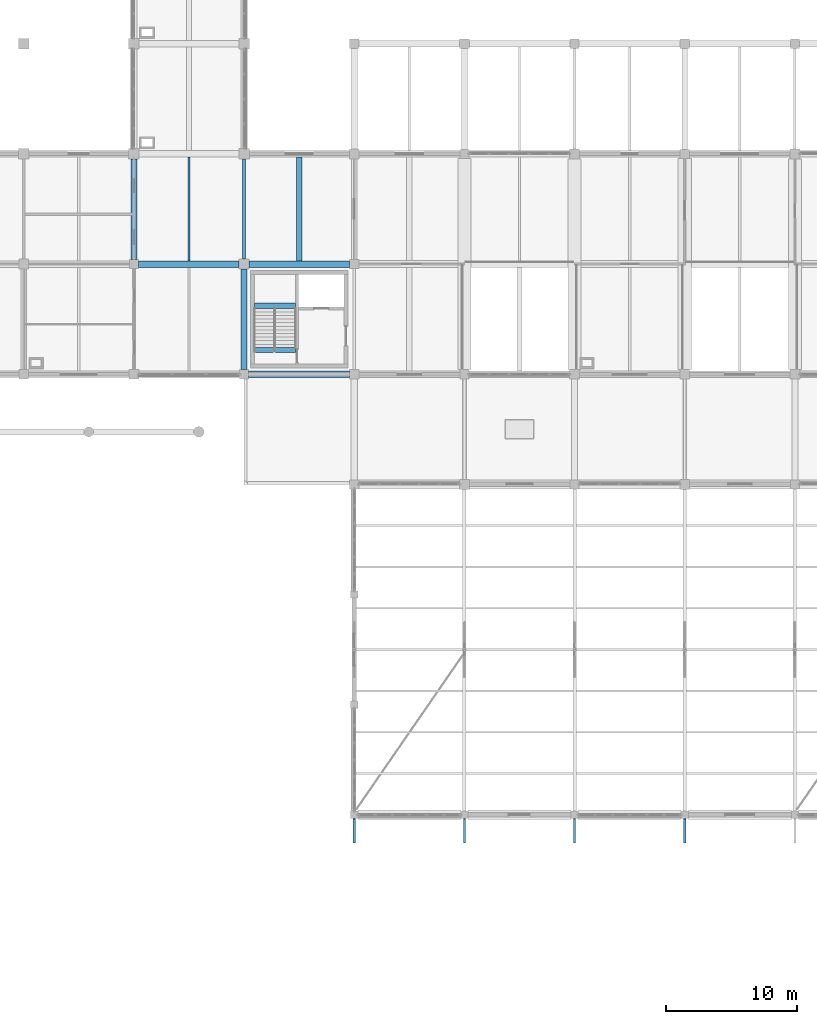
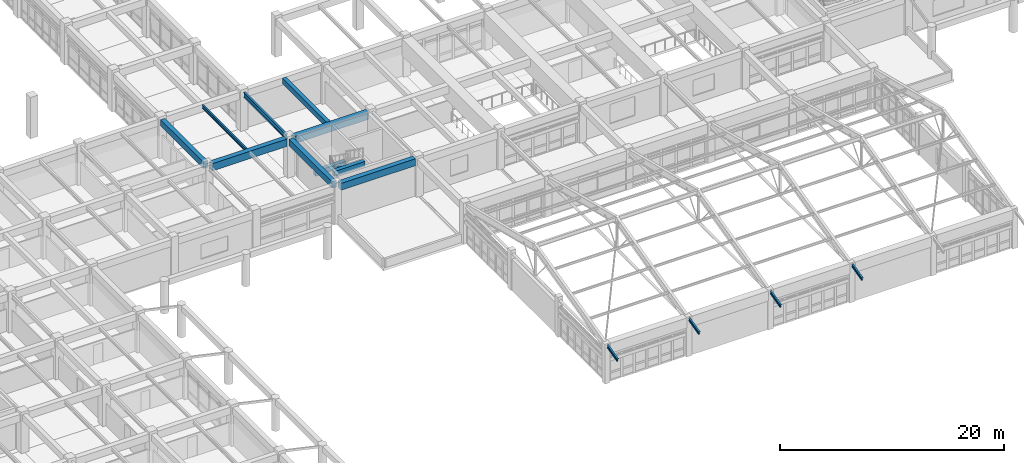
# One storey, part 9 of 99: 14 beams.
"""IFC4 building model written with IfcOpenShell, lengths in metres."""

from ifc_helpers import new_model, si_unit, direction, frame, origin, origin_2d, place, context, subcontext, project, spatial, rectangle, i_section, extrude, material, material_profile, profile_set, type_object, element, save


model = new_model("IFC4")

# Units and contexts
model_context = context("Model", 3, precision=1e-05, world=origin(), true_north=direction((0.0, 1.0)))
body_context = subcontext(model_context, "Body", "Model", "MODEL_VIEW")
ifc_project = project(units=[si_unit("LENGTHUNIT", "METRE"), si_unit("AREAUNIT", "SQUARE_METRE"), si_unit("VOLUMEUNIT", "CUBIC_METRE"), si_unit("PLANEANGLEUNIT", "RADIAN"), si_unit("MASSUNIT", "GRAM", prefix="KILO")], contexts=[model_context])

# Site, building, storey
site_placement = place(None, origin())
site = spatial("IfcSite", under=ifc_project, at=site_placement, CompositionType="ELEMENT")
building_placement = place(site_placement, origin())
building = spatial("IfcBuilding", under=site, at=building_placement, Name="Porcellanite Civic Hall", CompositionType="ELEMENT")
storey_placement = place(building_placement, frame((0.0, 0.0, 5.760009765625)))
storey = spatial("IfcBuildingStorey", under=building, at=storey_placement, Name="L01", CompositionType="ELEMENT", Elevation=5.760009765625)

# Beams
ifc_material_1 = material(Name="Steel Grade 350", Category="steel")
ifc_material_profile_1 = material_profile(ifc_material_1, i_section(OverallWidth=0.166015625, OverallDepth=0.306884765625, WebThickness=0.006591796875, FlangeThickness=0.01171875, FilletRadius=0.011474609375, at=origin_2d()), Name="310UB46.2")
ifc_profile_set_1 = profile_set([ifc_material_profile_1], Name="Steel Grade 350")
beam_type_1 = type_object("IfcBeamType", Name="BM-EV1", PredefinedType="BEAM", material=ifc_profile_set_1)
for number, where, z_axis, x_axis, name in (
    (1, (67.199951171875, 16.525390625, 4.0859375), (0.0, -0.970302594384, -0.241894347456), (1.0, 0.0, 0.0), "Public Hall storm eave beam 8"),
    (2, (75.60009765625, 16.525390625, 4.0859375), (0.0, -0.970302594384, -0.241894347456), (1.0, 0.0, 0.0), "Public Hall storm eave beam 9"),
    (3, (84.0, 16.525390625, 4.0859375), (0.0, -0.970302594384, -0.241894347456), (1.0, 0.0, 0.0), "Public Hall storm eave beam 10"),
    (4, (92.39990234375, 16.525390625, 4.0859375), (0.0, -0.970302594384, -0.241894347456), (1.0, 0.0, 0.0), "Public Hall storm eave beam 11"),
):
    element("IfcBeam", number, at=place(storey_placement, frame(where, z_axis=z_axis, x_axis=x_axis)), inside=storey, type_object=beam_type_1, Name=name, PredefinedType="BEAM", context=body_context, shape_type="SweptSolid", body=[
        extrude(i_section(OverallWidth=0.166015625, OverallDepth=0.306884765625, WebThickness=0.006591796875, FlangeThickness=0.01171875, FilletRadius=0.011474609375, at=origin_2d()), origin(), (0.0, 0.0, 1.0), 1.88134765625),
    ])
ifc_material_2 = material(Name="Concrete N50 (50 MPa)", Category="concrete")
ifc_material_profile_2 = material_profile(ifc_material_2, rectangle(XDim=0.39990234375, YDim=0.550048828125, at=origin_2d()), Name="RC-400x550")
ifc_profile_set_2 = profile_set([ifc_material_profile_2], Name="Concrete N50 (50 MPa)")
beam_type_2 = type_object("IfcBeamType", Name="BM-RC550", PredefinedType="JOIST", material=ifc_profile_set_2)
for number, where, z_axis, x_axis, name in (
    (5, (59.58056640625, 55.625, 1.885009765625), (1.0, 0.0, 0.0), (0.0, 1.0, 0.0), "Stair landing beam C5 L01"),
    (6, (59.58056640625, 52.25, 3.925048828125), (1.0, 0.0, 0.0), (0.0, 1.0, 0.0), "Stair header beam C5 L01"),
):
    element("IfcBeam", number, at=place(storey_placement, frame(where, z_axis=z_axis, x_axis=x_axis)), inside=storey, type_object=beam_type_2, Name=name, PredefinedType="JOIST", context=body_context, shape_type="SweptSolid", body=[
        extrude(rectangle(XDim=0.39990234375, YDim=0.550048828125, at=origin_2d()), origin(), (0.0, 0.0, 1.0), 3.138916015625),
    ])
ifc_material_3 = material(Name="Concrete N50 (50 MPa)", Category="concrete")
ifc_material_profile_3 = material_profile(ifc_material_3, rectangle(XDim=0.39990234375, YDim=0.60009765625, at=origin_2d()), Name="RC-400x600")
ifc_profile_set_3 = profile_set([ifc_material_profile_3], Name="Concrete N50 (50 MPa)")
beam_type_3 = type_object("IfcBeamType", Name="BM-RC600", PredefinedType="JOIST", material=ifc_profile_set_3)
beam_1_placement = place(storey_placement, frame((63.0, 59.049560546875, 3.89990234375), z_axis=(0.0, 1.0, 0.0), x_axis=(-1.0, 0.0, 0.0)))
element("IfcBeam", 7, at=beam_1_placement, inside=storey, type_object=beam_type_3, Name="Secondary joist L01 8-8", PredefinedType="JOIST", context=body_context, shape_type="SweptSolid", body=[
    extrude(rectangle(XDim=0.39990234375, YDim=0.60009765625, at=origin_2d()), origin(), (0.0, 0.0, 1.0), 7.90087890625),
])
ifc_material_4 = material(Name="Concrete N50 (50 MPa)", Category="concrete")
ifc_material_profile_4 = material_profile(ifc_material_4, rectangle(XDim=0.449951171875, YDim=0.699951171875, at=origin_2d()), Name="RC-450x700")
ifc_profile_set_4 = profile_set([ifc_material_profile_4], Name="Concrete N50 (50 MPa)")
beam_type_4 = type_object("IfcBeamType", Name="BM-RC700", PredefinedType="BEAM", material=ifc_profile_set_4)
beam_2_placement = place(storey_placement, frame((50.39990234375, 59.1494140625, 3.85009765625), z_axis=(0.0, 1.0, 0.0), x_axis=(-1.0, 0.0, 0.0)))
element("IfcBeam", 8, at=beam_2_placement, inside=storey, type_object=beam_type_4, Name="Beam Y L01 7-8", PredefinedType="BEAM", context=body_context, shape_type="SweptSolid", body=[
    extrude(rectangle(XDim=0.449951171875, YDim=0.699951171875, at=origin_2d()), origin(), (0.0, 0.0, 1.0), 7.651123046875),
])
beam_3_placement = place(storey_placement, frame((58.800048828125, 50.74951171875, 3.85009765625), z_axis=(0.0, 1.0, 0.0), x_axis=(-1.0, 0.0, 0.0)))
element("IfcBeam", 9, at=beam_3_placement, inside=storey, type_object=beam_type_4, Name="Beam Y L01 8-7", PredefinedType="BEAM", context=body_context, shape_type="SweptSolid", body=[
    extrude(rectangle(XDim=0.449951171875, YDim=0.699951171875, at=origin_2d()), origin(), (0.0, 0.0, 1.0), 7.676025390625),
])
ifc_material_5 = material(Name="Concrete N50 (50 MPa)", Category="concrete")
ifc_material_profile_5 = material_profile(ifc_material_5, rectangle(XDim=0.5, YDim=0.75, at=origin_2d()), Name="RC-500x750")
ifc_profile_set_5 = profile_set([ifc_material_profile_5], Name="Concrete N50 (50 MPa)")
beam_type_5 = type_object("IfcBeamType", Name="BM-RC750", PredefinedType="SPANDREL", material=ifc_profile_set_5)
beam_4_placement = place(storey_placement, frame((59.1494140625, 50.39990234375, 3.824951171875), z_axis=(1.0, 0.0, 0.0), x_axis=(0.0, 1.0, 0.0)))
element("IfcBeam", 10, at=beam_4_placement, inside=storey, type_object=beam_type_5, Name="Beam X L01 8-7", PredefinedType="SPANDREL", context=body_context, shape_type="SweptSolid", body=[
    extrude(rectangle(XDim=0.5, YDim=0.75, at=origin_2d()), origin(), (0.0, 0.0, 1.0), 7.676025390625),
])
ifc_material_6 = material(Name="Concrete N50 (50 MPa)", Category="concrete")
ifc_material_profile_6 = material_profile(ifc_material_6, rectangle(XDim=0.5, YDim=0.800048828125, at=origin_2d()), Name="RC-500x800")
ifc_profile_set_6 = profile_set([ifc_material_profile_6], Name="Concrete N50 (50 MPa)")
beam_type_6 = type_object("IfcBeamType", Name="BM-RC800", PredefinedType="BEAM", material=ifc_profile_set_6)
for number, where, z_axis, x_axis, name in (
    (11, (50.74951171875, 58.800048828125, 3.800048828125), (1.0, 0.0, 0.0), (0.0, 1.0, 0.0), "Beam X L01 7-8"),
    (12, (59.174560546875, 58.800048828125, 3.800048828125), (1.0, 0.0, 0.0), (0.0, 1.0, 0.0), "Beam X L01 8-8"),
):
    element("IfcBeam", number, at=place(storey_placement, frame(where, z_axis=z_axis, x_axis=x_axis)), inside=storey, type_object=beam_type_6, Name=name, PredefinedType="BEAM", context=body_context, shape_type="SweptSolid", body=[
        extrude(rectangle(XDim=0.5, YDim=0.800048828125, at=origin_2d()), origin(), (0.0, 0.0, 1.0), 7.676025390625),
    ])
ifc_material_7 = material(Name="Steel Grade 350", Category="steel")
ifc_material_profile_7 = material_profile(ifc_material_7, i_section(OverallWidth=0.1708984375, OverallDepth=0.35595703125, WebThickness=0.00732421875, FlangeThickness=0.011474609375, FilletRadius=0.011474609375, at=origin_2d()), Name="360UB50.7")
ifc_profile_set_7 = profile_set([ifc_material_profile_7], Name="Steel Grade 350")
beam_type_7 = type_object("IfcBeamType", Name="JST-360UB51", PredefinedType="JOIST", material=ifc_profile_set_7)
beam_5_placement = place(storey_placement, frame((54.60009765625, 59.049560546875, 4.02197265625), z_axis=(0.0, 1.0, 0.0), x_axis=(-1.0, 0.0, 0.0)))
element("IfcBeam", 13, at=beam_5_placement, inside=storey, type_object=beam_type_7, Name="Secondary joist L01 7-8", PredefinedType="JOIST", context=body_context, shape_type="SweptSolid", body=[
    extrude(i_section(OverallWidth=0.1708984375, OverallDepth=0.35595703125, WebThickness=0.00732421875, FlangeThickness=0.011474609375, FilletRadius=0.011474609375, at=origin_2d()), origin(), (0.0, 0.0, 1.0), 7.90087890625),
])
ifc_material_8 = material(Name="Steel Grade 350", Category="steel")
ifc_material_profile_8 = material_profile(ifc_material_8, i_section(OverallWidth=0.208984375, OverallDepth=0.528076171875, WebThickness=0.009521484375, FlangeThickness=0.01318359375, FilletRadius=0.013916015625, at=origin_2d()), Name="530UB82.0")
ifc_profile_set_8 = profile_set([ifc_material_profile_8], Name="Steel Grade 350")
beam_type_8 = type_object("IfcBeamType", Name="RAF-530UB82", PredefinedType="BEAM", material=ifc_profile_set_8)
beam_6_placement = place(storey_placement, frame((58.800048828125, 59.174560546875, 3.93603515625), z_axis=(0.0, 1.0, 0.0), x_axis=(-1.0, 0.0, 0.0)))
element("IfcBeam", 14, at=beam_6_placement, inside=storey, type_object=beam_type_8, Name="Beam Y L01 8-8", PredefinedType="BEAM", context=body_context, shape_type="SweptSolid", body=[
    extrude(i_section(OverallWidth=0.208984375, OverallDepth=0.528076171875, WebThickness=0.009521484375, FlangeThickness=0.01318359375, FilletRadius=0.013916015625, at=origin_2d()), origin(), (0.0, 0.0, 1.0), 7.6259765625),
])

save(model, "model.ifc")
